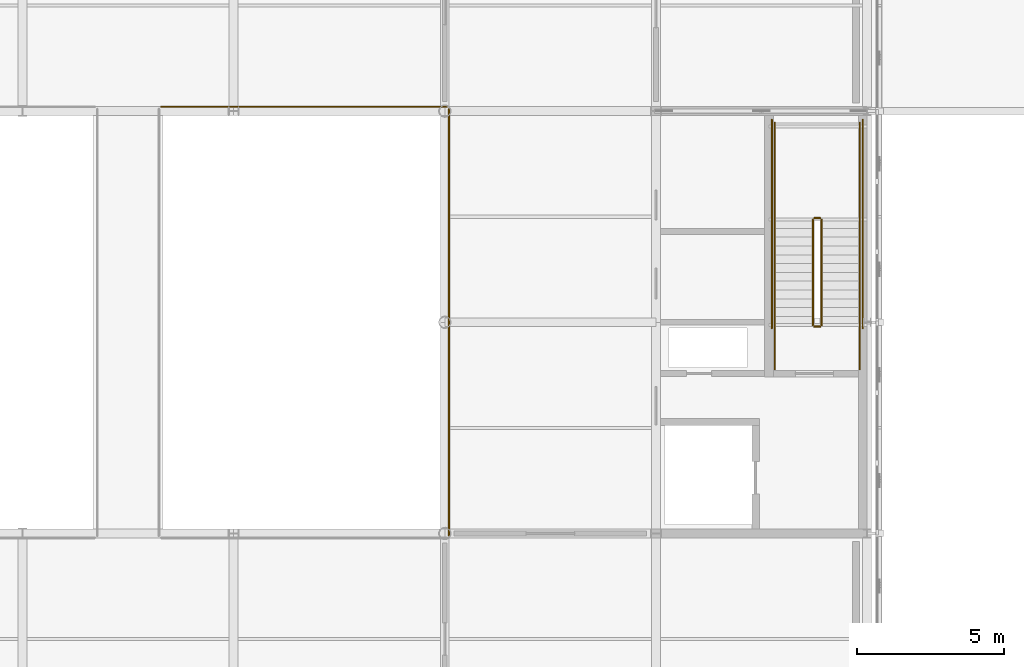
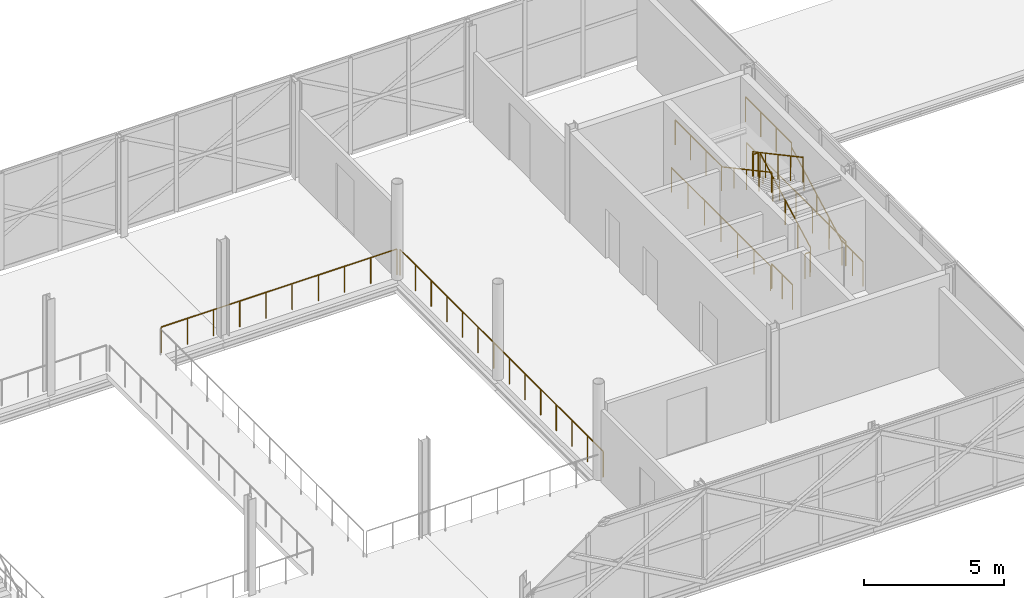
# One storey, part 98 of 103: 14 railings.
"""IFC4 building model written with IfcOpenShell, lengths in metres."""

from ifc_helpers import new_model, si_unit, direction, frame, origin, origin_2d, place, context, subcontext, project, spatial, circle, extrude, material, type_object, element, save


model = new_model("IFC4")

# Units and contexts
model_context = context("Model", 3, precision=1e-05, world=origin(), true_north=direction((0.0, 1.0)))
body_context = subcontext(model_context, "Body", "Model", "MODEL_VIEW")
ifc_project = project(units=[si_unit("LENGTHUNIT", "METRE"), si_unit("AREAUNIT", "SQUARE_METRE"), si_unit("VOLUMEUNIT", "CUBIC_METRE"), si_unit("PLANEANGLEUNIT", "RADIAN"), si_unit("MASSUNIT", "GRAM", prefix="KILO")], contexts=[model_context])

# Site, building, storey
site_placement = place(None, origin())
site = spatial("IfcSite", under=ifc_project, at=site_placement, CompositionType="ELEMENT")
building_placement = place(site_placement, origin())
building = spatial("IfcBuilding", under=site, at=building_placement, Name="Zlatovets Crest Museum", CompositionType="ELEMENT")
storey_placement = place(building_placement, frame((0.0, 0.0, 12.89990234375)))
storey = spatial("IfcBuildingStorey", under=building, at=storey_placement, Name="L03", CompositionType="ELEMENT", Elevation=12.89990234375)

# Railings
ifc_material_1 = material(Name="Art Nouveau bronze and laminated glass atrium balustrade", Category="glass")
railing_type_1 = type_object("IfcRailingType", Name="AtriumGuard_AG01", PredefinedType="BALUSTRADE", material=ifc_material_1)
railing_1_placement = place(storey_placement, frame((93.75, 7.1298828125, 0.0)))
element("IfcRailing", 1, at=railing_1_placement, inside=storey, type_object=railing_type_1, Name="Atrium East Void Balustrade L03 E", PredefinedType="BALUSTRADE", context=body_context, shape_type="SweptSolid", body=[
    extrude(circle(Radius=0.02392578125, at=origin_2d()), frame((0.0, 0.0, 1.1259765625), z_axis=(0.0, 1.0, 0.0), x_axis=(-1.0, 0.0, 0.0)), (0.0, 0.0, 1.0), 14.5400390625),
    extrude(circle(Radius=0.02099609375, at=origin_2d()), origin(), (0.0, 0.0, 1.0), 1.101806640625),
    extrude(circle(Radius=0.02099609375, at=origin_2d()), frame((0.0, 1.118408203125, 0.0)), (0.0, 0.0, 1.0), 1.101806640625),
    extrude(circle(Radius=0.02099609375, at=origin_2d()), frame((0.0, 2.23681640625, 0.0)), (0.0, 0.0, 1.0), 1.101806640625),
    extrude(circle(Radius=0.02099609375, at=origin_2d()), frame((0.0, 3.35546875, 0.0)), (0.0, 0.0, 1.0), 1.101806640625),
    extrude(circle(Radius=0.02099609375, at=origin_2d()), frame((0.0, 4.473876953125, 0.0)), (0.0, 0.0, 1.0), 1.101806640625),
    extrude(circle(Radius=0.02099609375, at=origin_2d()), frame((0.0, 5.59228515625, 0.0)), (0.0, 0.0, 1.0), 1.101806640625),
    extrude(circle(Radius=0.02099609375, at=origin_2d()), frame((0.0, 6.710693359375, 0.0)), (0.0, 0.0, 1.0), 1.101806640625),
    extrude(circle(Radius=0.02099609375, at=origin_2d()), frame((0.0, 7.829345703125, 0.0)), (0.0, 0.0, 1.0), 1.101806640625),
    extrude(circle(Radius=0.02099609375, at=origin_2d()), frame((0.0, 8.94775390625, 0.0)), (0.0, 0.0, 1.0), 1.101806640625),
    extrude(circle(Radius=0.02099609375, at=origin_2d()), frame((0.0, 10.066162109375, 0.0)), (0.0, 0.0, 1.0), 1.101806640625),
    extrude(circle(Radius=0.02099609375, at=origin_2d()), frame((0.0, 11.1845703125, 0.0)), (0.0, 0.0, 1.0), 1.101806640625),
    extrude(circle(Radius=0.02099609375, at=origin_2d()), frame((0.0, 12.30322265625, 0.0)), (0.0, 0.0, 1.0), 1.101806640625),
    extrude(circle(Radius=0.02099609375, at=origin_2d()), frame((0.0, 13.421630859375, 0.0)), (0.0, 0.0, 1.0), 1.101806640625),
    extrude(circle(Radius=0.02099609375, at=origin_2d()), frame((0.0, 14.5400390625, 0.0)), (0.0, 0.0, 1.0), 1.101806640625),
])
railing_2_placement = place(storey_placement, frame((93.669921875, 21.75, 0.0)))
element("IfcRailing", 2, at=railing_2_placement, inside=storey, type_object=railing_type_1, Name="Atrium East Void Balustrade L03 N", PredefinedType="BALUSTRADE", context=body_context, shape_type="SweptSolid", body=[
    extrude(circle(Radius=0.02392578125, at=origin_2d()), frame((0.0, 0.0, 1.1259765625), z_axis=(-1.0, 0.0, 0.0), x_axis=(0.0, -1.0, 0.0)), (0.0, 0.0, 1.0), 9.739990234375),
    extrude(circle(Radius=0.02099609375, at=origin_2d()), origin(), (0.0, 0.0, 1.0), 1.101806640625),
    extrude(circle(Radius=0.02099609375, at=origin_2d()), frame((-1.082275390625, 0.0, 0.0)), (0.0, 0.0, 1.0), 1.101806640625),
    extrude(circle(Radius=0.02099609375, at=origin_2d()), frame((-2.16455078125, 0.0, 0.0)), (0.0, 0.0, 1.0), 1.101806640625),
    extrude(circle(Radius=0.02099609375, at=origin_2d()), frame((-3.24658203125, 0.0, 0.0)), (0.0, 0.0, 1.0), 1.101806640625),
    extrude(circle(Radius=0.02099609375, at=origin_2d()), frame((-4.328857421875, 0.0, 0.0)), (0.0, 0.0, 1.0), 1.101806640625),
    extrude(circle(Radius=0.02099609375, at=origin_2d()), frame((-5.4111328125, 0.0, 0.0)), (0.0, 0.0, 1.0), 1.101806640625),
    extrude(circle(Radius=0.02099609375, at=origin_2d()), frame((-6.493408203125, 0.0, 0.0)), (0.0, 0.0, 1.0), 1.101806640625),
    extrude(circle(Radius=0.02099609375, at=origin_2d()), frame((-7.575439453125, 0.0, 0.0)), (0.0, 0.0, 1.0), 1.101806640625),
    extrude(circle(Radius=0.02099609375, at=origin_2d()), frame((-8.65771484375, 0.0, 0.0)), (0.0, 0.0, 1.0), 1.101806640625),
    extrude(circle(Radius=0.02099609375, at=origin_2d()), frame((-9.739990234375, 0.0, 0.0)), (0.0, 0.0, 1.0), 1.101806640625),
])
ifc_material_2 = material(Name="Painted steel safety guardrail", Category="steel")
railing_type_2 = type_object("IfcRailingType", Name="StairGuard_SG01", PredefinedType="GUARDRAIL", material=ifc_material_2)
railing_3_placement = place(storey_placement, frame((106.449951171875, 14.300048828125, 0.16162109375)))
element("IfcRailing", 3, at=railing_3_placement, inside=storey, type_object=railing_type_2, Name="L03 ST9 stair guard 1", PredefinedType="GUARDRAIL", context=body_context, shape_type="SweptSolid", body=[
    extrude(circle(Radius=0.02392578125, at=origin_2d()), frame((0.0, 0.0, 1.076171875), z_axis=(0.0, 0.880461512865, 0.474117627138), x_axis=(-1.0, 0.0, 0.0)), (0.0, 0.0, 1.0), 4.088623046875),
    extrude(circle(Radius=0.02099609375, at=origin_2d()), origin(), (0.0, 0.0, 1.0), 1.052001953125),
    extrude(circle(Radius=0.02099609375, at=origin_2d()), frame((0.0, 0.89990234375, 0.484619140625)), (0.0, 0.0, 1.0), 1.052001953125),
    extrude(circle(Radius=0.02099609375, at=origin_2d()), frame((0.0, 1.7998046875, 0.96923828125)), (0.0, 0.0, 1.0), 1.052001953125),
    extrude(circle(Radius=0.02099609375, at=origin_2d()), frame((0.0, 2.699951171875, 1.453857421875)), (0.0, 0.0, 1.0), 1.052001953125),
    extrude(circle(Radius=0.02099609375, at=origin_2d()), frame((0.0, 3.599853515625, 1.9384765625)), (0.0, 0.0, 1.0), 1.052001953125),
])
railing_4_placement = place(storey_placement, frame((106.39990234375, 17.949951171875, 2.10009765625)))
element("IfcRailing", 4, at=railing_4_placement, inside=storey, type_object=railing_type_2, Name="L03 ST9 stair guard 2", PredefinedType="GUARDRAIL", context=body_context, shape_type="SweptSolid", body=[
    extrude(circle(Radius=0.02392578125, at=origin_2d()), frame((0.0, 0.0, 1.076171875), z_axis=(-1.0, 0.0, 0.0), x_axis=(0.0, -1.0, 0.0)), (0.0, 0.0, 1.0), 0.199951171875),
    extrude(circle(Radius=0.02099609375, at=origin_2d()), origin(), (0.0, 0.0, 1.0), 1.052001953125),
    extrude(circle(Radius=0.02099609375, at=origin_2d()), frame((-0.199951171875, 0.0, 0.0)), (0.0, 0.0, 1.0), 1.052001953125),
])
for number, where, name in (
    (5, (107.75, 17.89990234375, 2.10009765625), "L03 ST9 stair guard 3"),
    (6, (104.85009765625, 17.89990234375, 2.10009765625), "L03 ST9 stair guard 4"),
):
    element("IfcRailing", number, at=place(storey_placement, frame(where)), inside=storey, type_object=railing_type_2, Name=name, PredefinedType="GUARDRAIL", context=body_context, shape_type="SweptSolid", body=[
        extrude(circle(Radius=0.02392578125, at=origin_2d()), frame((0.0, 0.0, 1.076171875), z_axis=(0.0, 1.0, 0.0), x_axis=(-1.0, 0.0, 0.0)), (0.0, 0.0, 1.0), 3.300048828125),
        extrude(circle(Radius=0.02099609375, at=origin_2d()), origin(), (0.0, 0.0, 1.0), 1.052001953125),
        extrude(circle(Radius=0.02099609375, at=origin_2d()), frame((0.0, 1.10009765625, 0.0)), (0.0, 0.0, 1.0), 1.052001953125),
        extrude(circle(Radius=0.02099609375, at=origin_2d()), frame((0.0, 2.199951171875, 0.0)), (0.0, 0.0, 1.0), 1.052001953125),
        extrude(circle(Radius=0.02099609375, at=origin_2d()), frame((0.0, 3.300048828125, 0.0)), (0.0, 0.0, 1.0), 1.052001953125),
    ])
railing_5_placement = place(storey_placement, frame((106.14990234375, 17.89990234375, 2.26171875)))
element("IfcRailing", 7, at=railing_5_placement, inside=storey, type_object=railing_type_2, Name="L03 ST9 stair guard 5", PredefinedType="GUARDRAIL", context=body_context, shape_type="SweptSolid", body=[
    extrude(circle(Radius=0.02392578125, at=origin_2d()), frame((0.0, 0.0, 1.076171875), z_axis=(0.0, -0.880461512865, 0.474117627138), x_axis=(1.0, 0.0, 0.0)), (0.0, 0.0, 1.0), 4.088623046875),
    extrude(circle(Radius=0.02099609375, at=origin_2d()), origin(), (0.0, 0.0, 1.0), 1.052001953125),
    extrude(circle(Radius=0.02099609375, at=origin_2d()), frame((0.0, -0.89990234375, 0.484619140625)), (0.0, 0.0, 1.0), 1.052001953125),
    extrude(circle(Radius=0.02099609375, at=origin_2d()), frame((0.0, -1.7998046875, 0.96923828125)), (0.0, 0.0, 1.0), 1.052001953125),
    extrude(circle(Radius=0.02099609375, at=origin_2d()), frame((0.0, -2.699951171875, 1.453857421875)), (0.0, 0.0, 1.0), 1.052001953125),
    extrude(circle(Radius=0.02099609375, at=origin_2d()), frame((0.0, -3.599853515625, 1.9384765625)), (0.0, 0.0, 1.0), 1.052001953125),
])
railing_6_placement = place(storey_placement, frame((106.39990234375, 14.25, 0.0)))
element("IfcRailing", 8, at=railing_6_placement, inside=storey, type_object=railing_type_2, Name="L03 ST9 stair guard 6", PredefinedType="GUARDRAIL", context=body_context, shape_type="SweptSolid", body=[
    extrude(circle(Radius=0.02392578125, at=origin_2d()), frame((0.0, 0.0, 1.076171875), z_axis=(-1.0, 0.0, 0.0), x_axis=(0.0, -1.0, 0.0)), (0.0, 0.0, 1.0), 0.199951171875),
    extrude(circle(Radius=0.02099609375, at=origin_2d()), origin(), (0.0, 0.0, 1.0), 1.052001953125),
    extrude(circle(Radius=0.02099609375, at=origin_2d()), frame((-0.199951171875, 0.0, 0.0)), (0.0, 0.0, 1.0), 1.052001953125),
])
for number, where, name in (
    (9, (107.75, 12.800048828125, 0.0), "L03 ST9 stair guard 7"),
    (10, (104.85009765625, 12.800048828125, 0.0), "L03 ST9 stair guard 8"),
):
    element("IfcRailing", number, at=place(storey_placement, frame(where)), inside=storey, type_object=railing_type_2, Name=name, PredefinedType="GUARDRAIL", context=body_context, shape_type="SweptSolid", body=[
        extrude(circle(Radius=0.02392578125, at=origin_2d()), frame((0.0, 0.0, 1.076171875), z_axis=(0.0, 1.0, 0.0), x_axis=(-1.0, 0.0, 0.0)), (0.0, 0.0, 1.0), 1.5),
        extrude(circle(Radius=0.02099609375, at=origin_2d()), origin(), (0.0, 0.0, 1.0), 1.052001953125),
        extrude(circle(Radius=0.02099609375, at=origin_2d()), frame((0.0, 0.75, 0.0)), (0.0, 0.0, 1.0), 1.052001953125),
        extrude(circle(Radius=0.02099609375, at=origin_2d()), frame((0.0, 1.5, 0.0)), (0.0, 0.0, 1.0), 1.052001953125),
    ])
for number, where, name in (
    (11, (107.85009765625, 14.199951171875, 0.0), "L03 ST9 stair guard 9"),
    (12, (104.75, 14.199951171875, 0.0), "L03 ST9 stair guard 10"),
):
    element("IfcRailing", number, at=place(storey_placement, frame(where)), inside=storey, type_object=railing_type_2, Name=name, PredefinedType="GUARDRAIL", context=body_context, shape_type="SweptSolid", body=[
        extrude(circle(Radius=0.02392578125, at=origin_2d()), frame((0.0, 0.0, 1.076171875), z_axis=(0.0, 1.0, 0.0), x_axis=(-1.0, 0.0, 0.0)), (0.0, 0.0, 1.0), 7.10009765625),
        extrude(circle(Radius=0.02099609375, at=origin_2d()), origin(), (0.0, 0.0, 1.0), 1.052001953125),
        extrude(circle(Radius=0.02099609375, at=origin_2d()), frame((0.0, 1.183349609375, 0.0)), (0.0, 0.0, 1.0), 1.052001953125),
        extrude(circle(Radius=0.02099609375, at=origin_2d()), frame((0.0, 2.36669921875, 0.0)), (0.0, 0.0, 1.0), 1.052001953125),
        extrude(circle(Radius=0.02099609375, at=origin_2d()), frame((0.0, 3.550048828125, 0.0)), (0.0, 0.0, 1.0), 1.052001953125),
        extrude(circle(Radius=0.02099609375, at=origin_2d()), frame((0.0, 4.7333984375, 0.0)), (0.0, 0.0, 1.0), 1.052001953125),
        extrude(circle(Radius=0.02099609375, at=origin_2d()), frame((0.0, 5.916748046875, 0.0)), (0.0, 0.0, 1.0), 1.052001953125),
        extrude(circle(Radius=0.02099609375, at=origin_2d()), frame((0.0, 7.10009765625, 0.0)), (0.0, 0.0, 1.0), 1.052001953125),
    ])
ifc_material_3 = material(Name="Brushed bronze stair handrail")
railing_type_3 = type_object("IfcRailingType", Name="StairHandrail_SH01", PredefinedType="HANDRAIL", material=ifc_material_3)
railing_7_placement = place(storey_placement, frame((107.75, 14.300048828125, 0.16162109375)))
element("IfcRailing", 13, at=railing_7_placement, inside=storey, type_object=railing_type_3, Name="L03 ST9 stair handrail 1", PredefinedType="HANDRAIL", context=body_context, shape_type="SweptSolid", body=[
    extrude(circle(Radius=0.02392578125, at=origin_2d()), frame((0.0, 0.0, 0.8759765625), z_axis=(0.0, 0.880461512865, 0.474117627138), x_axis=(-1.0, 0.0, 0.0)), (0.0, 0.0, 1.0), 4.088623046875),
    extrude(circle(Radius=0.02099609375, at=origin_2d()), origin(), (0.0, 0.0, 1.0), 0.851806640625),
    extrude(circle(Radius=0.02099609375, at=origin_2d()), frame((0.0, 0.89990234375, 0.484619140625)), (0.0, 0.0, 1.0), 0.851806640625),
    extrude(circle(Radius=0.02099609375, at=origin_2d()), frame((0.0, 1.7998046875, 0.96923828125)), (0.0, 0.0, 1.0), 0.851806640625),
    extrude(circle(Radius=0.02099609375, at=origin_2d()), frame((0.0, 2.699951171875, 1.453857421875)), (0.0, 0.0, 1.0), 0.851806640625),
    extrude(circle(Radius=0.02099609375, at=origin_2d()), frame((0.0, 3.599853515625, 1.9384765625)), (0.0, 0.0, 1.0), 0.851806640625),
])
railing_8_placement = place(storey_placement, frame((104.85009765625, 17.89990234375, 2.26171875)))
element("IfcRailing", 14, at=railing_8_placement, inside=storey, type_object=railing_type_3, Name="L03 ST9 stair handrail 2", PredefinedType="HANDRAIL", context=body_context, shape_type="SweptSolid", body=[
    extrude(circle(Radius=0.02392578125, at=origin_2d()), frame((0.0, 0.0, 0.8759765625), z_axis=(0.0, -0.880461512865, 0.474117627138), x_axis=(1.0, 0.0, 0.0)), (0.0, 0.0, 1.0), 4.088623046875),
    extrude(circle(Radius=0.02099609375, at=origin_2d()), origin(), (0.0, 0.0, 1.0), 0.851806640625),
    extrude(circle(Radius=0.02099609375, at=origin_2d()), frame((0.0, -0.89990234375, 0.484619140625)), (0.0, 0.0, 1.0), 0.851806640625),
    extrude(circle(Radius=0.02099609375, at=origin_2d()), frame((0.0, -1.7998046875, 0.96923828125)), (0.0, 0.0, 1.0), 0.851806640625),
    extrude(circle(Radius=0.02099609375, at=origin_2d()), frame((0.0, -2.699951171875, 1.453857421875)), (0.0, 0.0, 1.0), 0.851806640625),
    extrude(circle(Radius=0.02099609375, at=origin_2d()), frame((0.0, -3.599853515625, 1.9384765625)), (0.0, 0.0, 1.0), 0.851806640625),
])

save(model, "model.ifc")
